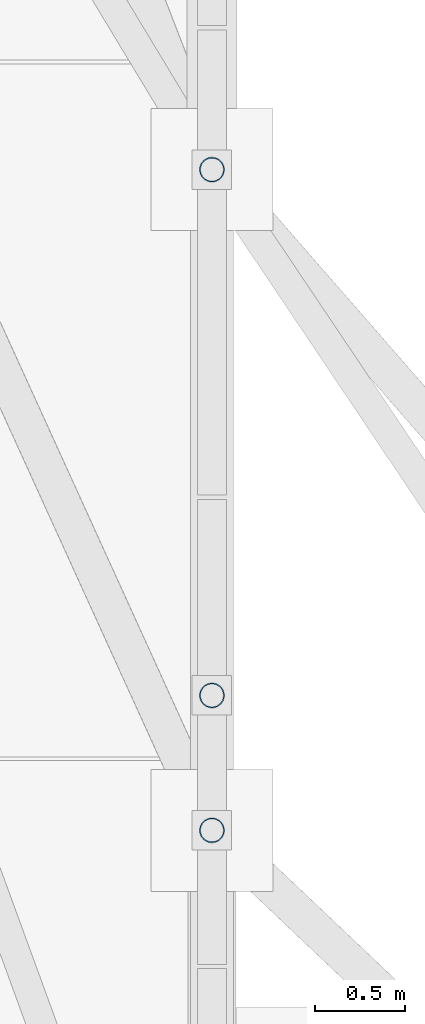
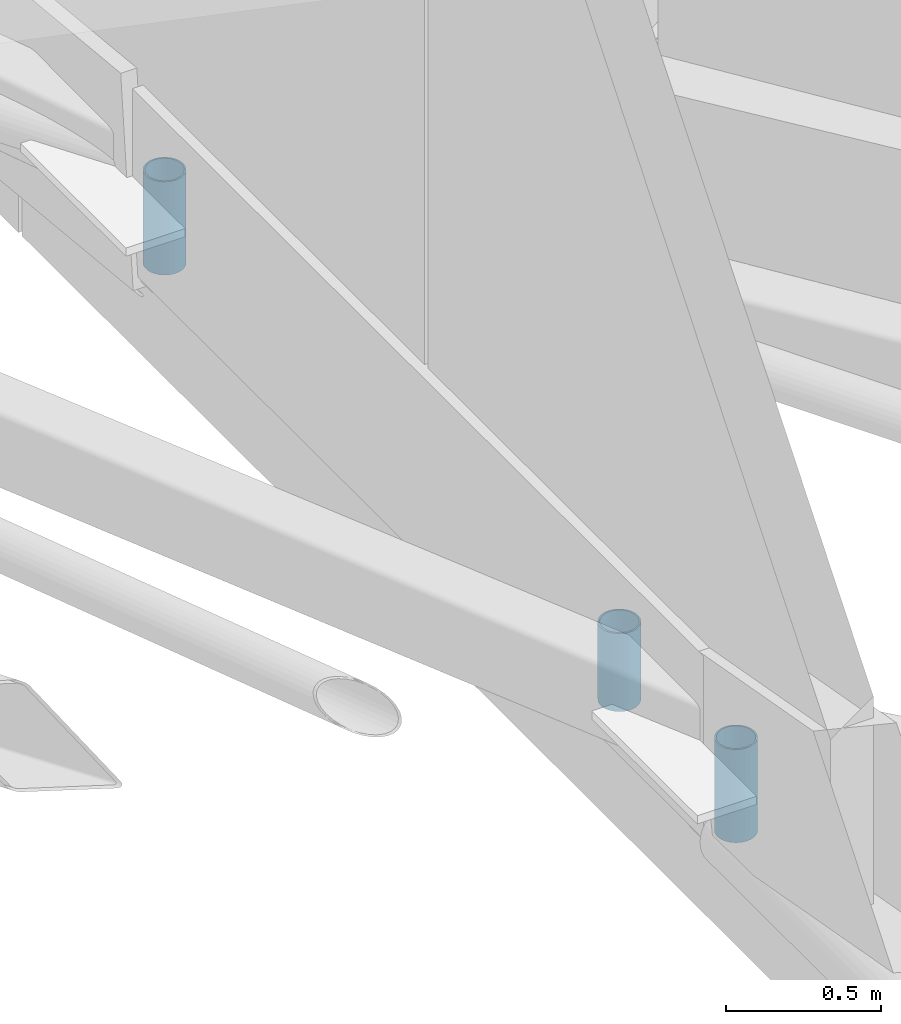
# One storey, part 134 of 188: 3 members.
"""IFC4 building model written with IfcOpenShell, lengths in metres."""

from ifc_helpers import new_model, si_unit, direction, frame, origin, origin_2d, place, context, subcontext, project, spatial, hollow_circle, extrude, material, material_profile, profile_set, type_object, element, save


model = new_model("IFC4")

# Units and contexts
model_context = context("Model", 3, precision=1e-05, world=origin(), true_north=direction((0.0, 1.0)))
body_context = subcontext(model_context, "Body", "Model", "MODEL_VIEW")
ifc_project = project(units=[si_unit("LENGTHUNIT", "METRE"), si_unit("AREAUNIT", "SQUARE_METRE"), si_unit("VOLUMEUNIT", "CUBIC_METRE"), si_unit("PLANEANGLEUNIT", "RADIAN"), si_unit("MASSUNIT", "GRAM", prefix="KILO")], contexts=[model_context])

# Site, building, storey
site_placement = place(None, origin())
site = spatial("IfcSite", under=ifc_project, at=site_placement, CompositionType="ELEMENT")
building_placement = place(site_placement, origin())
building = spatial("IfcBuilding", under=site, at=building_placement, Name="Kisaragi Civic Commons", CompositionType="ELEMENT")
storey_placement = place(building_placement, frame((0.0, 0.0, 9.60009765625)))
storey = spatial("IfcBuildingStorey", under=building, at=storey_placement, Name="L02", CompositionType="ELEMENT", Elevation=9.60009765625)

# Members
ifc_material = material(Name="Steel SN490 (SN490B)", Category="steel")
ifc_material_profile = material_profile(ifc_material, hollow_circle(Radius=0.06982421875, WallThickness=0.006103515625, at=origin_2d()), Name="CHS-139.8x6.0", Category="steel")
ifc_profile_set = profile_set([ifc_material_profile], Name="Steel SN490 (SN490B)")
member_type = type_object("IfcMemberType", Name="ST-H1", PredefinedType="STRUT", material=ifc_profile_set)
for number, where, z_axis, x_axis, name in (
    (1, (34.0, 24.4482421875, -0.080078125), (0.0, 0.0, 1.0), (1.0, 0.0, 0.0), "V1 arch tie hanger strut 76"),
    (2, (34.0, 28.1298828125, -0.080078125), (0.0, 0.0, 1.0), (1.0, 0.0, 0.0), "V1 arch tie hanger strut 77"),
):
    element("IfcMember", number, at=place(storey_placement, frame(where, z_axis=z_axis, x_axis=x_axis)), inside=storey, type_object=member_type, Name=name, PredefinedType="STRUT", context=body_context, shape_type="SweptSolid", body=[
        extrude(hollow_circle(Radius=0.06982421875, WallThickness=0.006103515625, at=origin_2d()), origin(), (0.0, 0.0, 1.0), 0.36669921875),
    ])
member_placement = place(storey_placement, frame((34.0, 25.199951171875, -0.02001953125), z_axis=(0.0, 0.0, 1.0), x_axis=(1.0, 0.0, 0.0)))
element("IfcMember", 3, at=member_placement, inside=storey, type_object=member_type, Name="V1 interior column arch support post (34.0,25.2)", PredefinedType="STRUT", context=body_context, shape_type="SweptSolid", body=[
    extrude(hollow_circle(Radius=0.06982421875, WallThickness=0.006103515625, at=origin_2d()), origin(), (0.0, 0.0, 1.0), 0.306640625),
])

save(model, "model.ifc")
